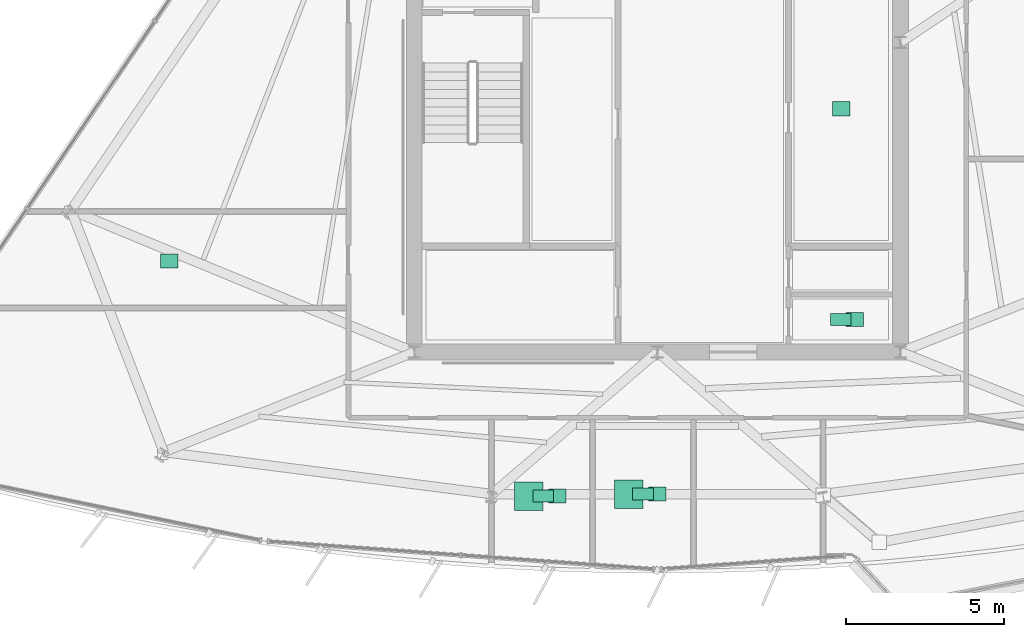
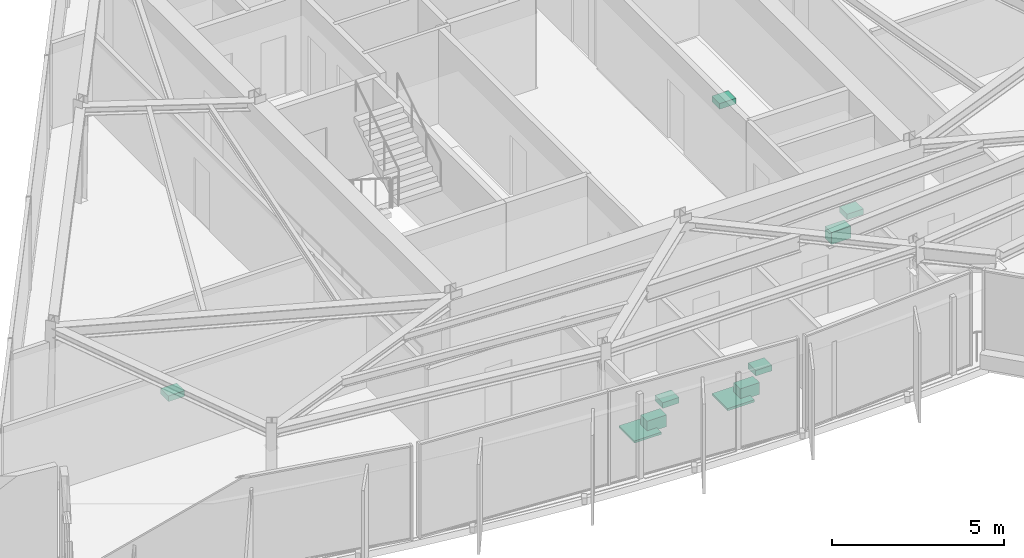
# One storey, part 12 of 12: 10 sanitary terminals.
"""IFC4 building model written with IfcOpenShell, lengths in metres."""

from ifc_helpers import new_model, si_unit, direction, frame, origin, origin_2d, place, context, subcontext, project, spatial, rectangle, extrude, material, type_object, element, save


model = new_model("IFC4")

# Units and contexts
model_context = context("Model", 3, precision=1e-05, world=origin(), true_north=direction((0.0, 1.0)))
body_context = subcontext(model_context, "Body", "Model", "MODEL_VIEW")
ifc_project = project(units=[si_unit("LENGTHUNIT", "METRE"), si_unit("AREAUNIT", "SQUARE_METRE"), si_unit("VOLUMEUNIT", "CUBIC_METRE"), si_unit("PLANEANGLEUNIT", "RADIAN"), si_unit("MASSUNIT", "GRAM", prefix="KILO")], contexts=[model_context])

# Site, building, storey
site_placement = place(None, origin())
site = spatial("IfcSite", under=ifc_project, at=site_placement, CompositionType="ELEMENT")
building_placement = place(site_placement, origin())
building = spatial("IfcBuilding", under=site, at=building_placement, Name="Savorim Split Tower", CompositionType="ELEMENT")
storey_placement = place(building_placement, frame((0.0, 0.0, 261.60009765625)))
storey = spatial("IfcBuildingStorey", under=building, at=storey_placement, Name="L69", CompositionType="ELEMENT", Elevation=261.60009765625)

# Sanitary terminals
ifc_material = material(Name="Vitreous China Sanitaryware")
sanitary_terminal_type_1 = type_object("IfcSanitaryTerminalType", Name="SAN-SHW-900", PredefinedType="SHOWER", material=ifc_material)
for number, where, z_axis, x_axis, name in (
    (1, (-4.068115234375, -13.965087890625, -0.000244140625), (0.0, 0.0, 1.0), (1.0, 0.0, 0.0), "L69 Shared Bathroom Shower"),
    (2, (-0.906005859375, -13.899658203125, -0.000244140625), (0.0, 0.0, 1.0), (1.0, 0.0, 0.0), "L69 Shared Bathroom Shower"),
):
    element("IfcSanitaryTerminal", number, at=place(storey_placement, frame(where, z_axis=z_axis, x_axis=x_axis)), inside=storey, type_object=sanitary_terminal_type_1, Name=name, PredefinedType="SHOWER", context=body_context, shape_type="SweptSolid", body=[
        extrude(rectangle(XDim=0.89990234375, YDim=0.89990234375, at=origin_2d()), origin(), (0.0, 0.0, 1.0), 0.080078125),
    ])
sanitary_terminal_type_2 = type_object("IfcSanitaryTerminalType", Name="SAN-WC-PAN", PredefinedType="TOILETPAN", material=ifc_material)
for number, where, z_axis, x_axis, name in (
    (3, (5.800048828125, -8.3701171875, 0.0), (0.0, 0.0, 1.0), (1.0, 0.0, 0.0), "L69 Accessible WC WC Pan"),
    (4, (-3.6181640625, -13.965087890625, 0.0), (0.0, 0.0, 1.0), (1.0, 0.0, 0.0), "L69 Shared Bathroom WC Pan"),
    (5, (-0.455810546875, -13.899658203125, 0.0), (0.0, 0.0, 1.0), (1.0, 0.0, 0.0), "L69 Shared Bathroom WC Pan"),
):
    element("IfcSanitaryTerminal", number, at=place(storey_placement, frame(where, z_axis=z_axis, x_axis=x_axis)), inside=storey, type_object=sanitary_terminal_type_2, Name=name, PredefinedType="TOILETPAN", context=body_context, shape_type="SweptSolid", body=[
        extrude(rectangle(XDim=0.64990234375, YDim=0.3798828125, at=origin_2d()), origin(), (0.0, 0.0, 1.0), 0.419921875),
    ])
sanitary_terminal_type_3 = type_object("IfcSanitaryTerminalType", Name="SAN-WHB-550", PredefinedType="WASHHANDBASIN", material=ifc_material)
for number, where, z_axis, x_axis, name in (
    (6, (5.824951171875, -1.699951171875, 0.75), (0.0, 0.0, 1.0), (1.0, 0.0, 0.0), "L69 Community Laundry Room Utility Sink"),
    (7, (6.25, -8.3701171875, 0.7197265625), (0.0, 0.0, 1.0), (1.0, 0.0, 0.0), "L69 Accessible WC Washhand Basin"),
    (8, (-15.45849609375, -6.52099609375, 0.75), (0.0, 0.0, 1.0), (1.0, 0.0, 0.0), "L69 Shared Kitchen Utility Sink"),
    (9, (-3.168212890625, -13.965087890625, 0.7197265625), (0.0, 0.0, 1.0), (1.0, 0.0, 0.0), "L69 Shared Bathroom Washhand Basin"),
    (10, (-0.005859375, -13.899658203125, 0.7197265625), (0.0, 0.0, 1.0), (1.0, 0.0, 0.0), "L69 Shared Bathroom Washhand Basin"),
):
    element("IfcSanitaryTerminal", number, at=place(storey_placement, frame(where, z_axis=z_axis, x_axis=x_axis)), inside=storey, type_object=sanitary_terminal_type_3, Name=name, PredefinedType="WASHHANDBASIN", context=body_context, shape_type="SweptSolid", body=[
        extrude(rectangle(XDim=0.550048828125, YDim=0.449951171875, at=origin_2d()), origin(), (0.0, 0.0, 1.0), 0.199951171875),
    ])

save(model, "model.ifc")
